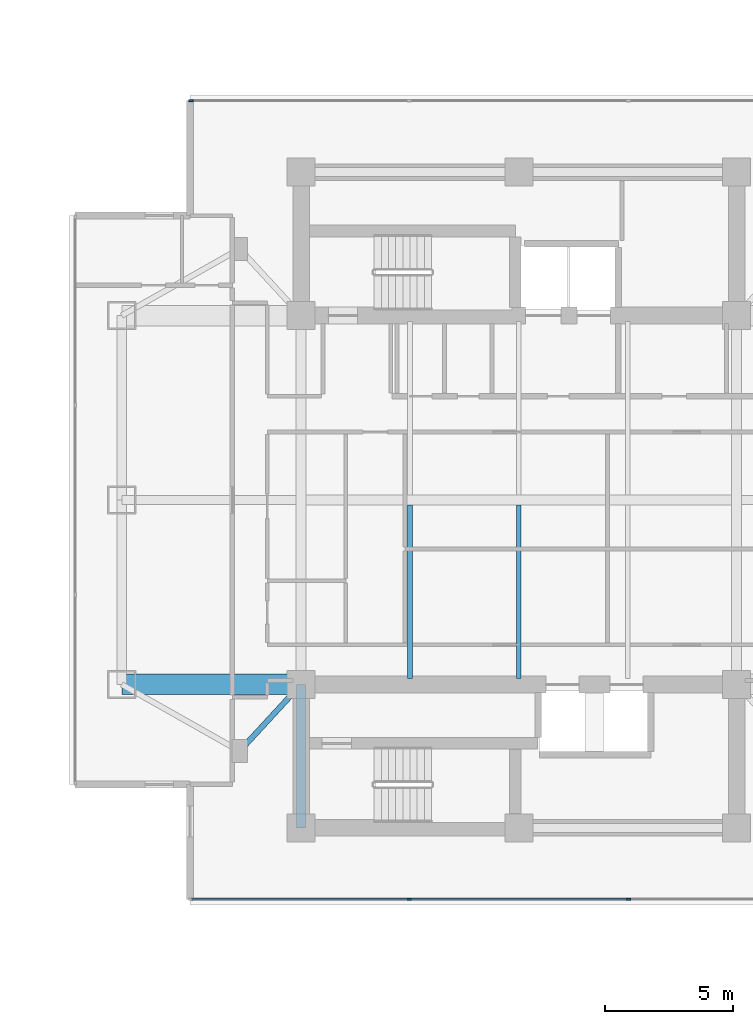
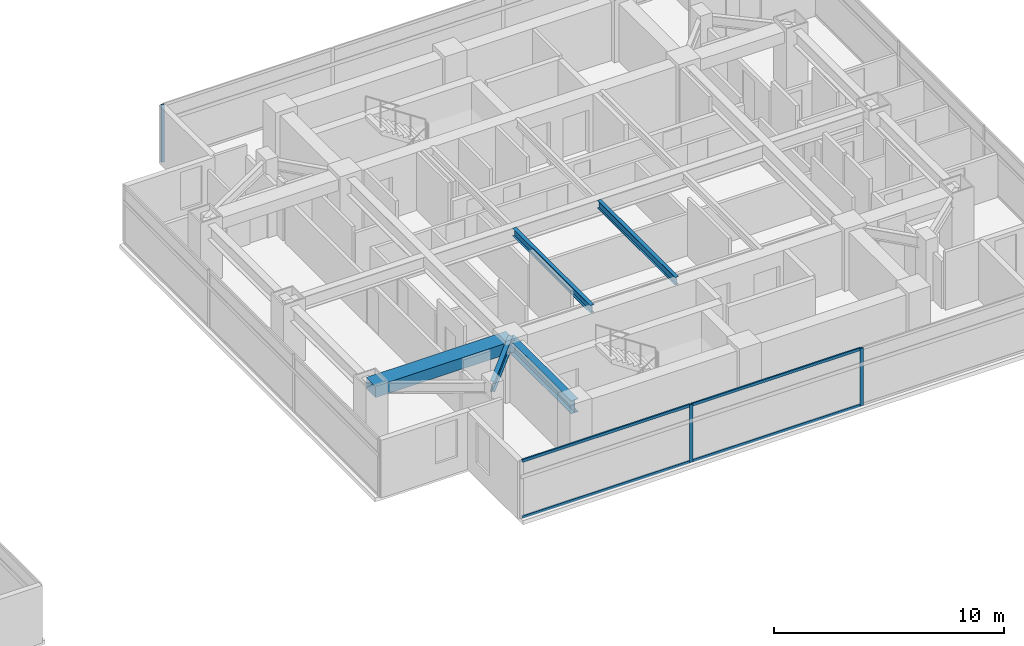
# One storey, part 9 of 27: 7 members, 5 beams, 2 elements without a shape of their own.
"""IFC4 building model written with IfcOpenShell, lengths in metres."""

from ifc_helpers import new_model, si_unit, direction, frame, origin, origin_2d, place, context, subcontext, project, spatial, rectangle, i_section, extrude, material, material_profile, profile_set, type_object, element, aggregate, save


model = new_model("IFC4")

# Units and contexts
model_context = context("Model", 3, precision=1e-05, world=origin(), true_north=direction((0.0, 1.0)))
body_context = subcontext(model_context, "Body", "Model", "MODEL_VIEW")
ifc_project = project(units=[si_unit("LENGTHUNIT", "METRE"), si_unit("AREAUNIT", "SQUARE_METRE"), si_unit("VOLUMEUNIT", "CUBIC_METRE"), si_unit("PLANEANGLEUNIT", "RADIAN"), si_unit("MASSUNIT", "GRAM", prefix="KILO")], contexts=[model_context])

# Site, building, storey
site_placement = place(None, origin())
site = spatial("IfcSite", under=ifc_project, at=site_placement, CompositionType="ELEMENT")
building_placement = place(site_placement, origin())
building = spatial("IfcBuilding", under=site, at=building_placement, Name="Mirazonda Arch Towers", CompositionType="ELEMENT")
storey_placement = place(building_placement, frame((0.0, 0.0, 124.699951171875)))
storey = spatial("IfcBuildingStorey", under=building, at=storey_placement, Name="L35", CompositionType="ELEMENT", Elevation=124.699951171875)

# Beams
ifc_material_1 = material(Name="Steel ASTM A992 Grade 50", Category="steel")
ifc_material_profile_1 = material_profile(ifc_material_1, i_section(OverallWidth=0.180908203125, OverallDepth=0.4169921875, WebThickness=0.010986328125, FlangeThickness=0.018310546875, at=origin_2d()), Name="W16X57")
ifc_profile_set_1 = profile_set([ifc_material_profile_1], Name="Steel ASTM A992 Grade 50")
beam_type_1 = type_object("IfcBeamType", Name="BM-INT-W16X57", PredefinedType="JOIST", material=ifc_profile_set_1)
for number, where, z_axis, x_axis, name in (
    (1, (72.25, 21.0400390625, 2.87158203125), (0.0, 1.0, 0.0), (-1.0, 0.0, 0.0), "L35 Floor Beam BM-T2-L35-J-722-20"),
    (2, (76.5, 21.0400390625, 2.87158203125), (0.0, 1.0, 0.0), (-1.0, 0.0, 0.0), "L35 Floor Beam BM-T2-L35-J-765-20"),
):
    element("IfcBeam", number, at=place(storey_placement, frame(where, z_axis=z_axis, x_axis=x_axis)), inside=storey, type_object=beam_type_1, Name=name, PredefinedType="JOIST", context=body_context, shape_type="SweptSolid", body=[
        extrude(i_section(OverallWidth=0.180908203125, OverallDepth=0.4169921875, WebThickness=0.010986328125, FlangeThickness=0.018310546875, at=origin_2d()), origin(), (0.0, 0.0, 1.0), 6.763916015625),
    ])
ifc_material_profile_2 = material_profile(ifc_material_1, i_section(OverallWidth=0.214111328125, OverallDepth=0.549072265625, WebThickness=0.0146484375, FlangeThickness=0.023681640625, at=origin_2d()), Name="W21X93")
ifc_profile_set_2 = profile_set([ifc_material_profile_2], Name="Steel ASTM A992 Grade 50")
beam_type_2 = type_object("IfcBeamType", Name="BM-INT-W21X93", PredefinedType="BEAM", material=ifc_profile_set_2)
beam_1_placement = place(storey_placement, frame((65.60009765625, 18.199951171875, 2.8056640625), z_axis=(0.678251444854, 0.734829897019, 0.0), x_axis=(-0.734829897019, 0.678251444854, 0.0)))
element("IfcBeam", 3, at=beam_1_placement, inside=storey, type_object=beam_type_2, Name="L35 Floor Beam BM-T2-L35-PL-SW1", PredefinedType="BEAM", context=body_context, shape_type="SweptSolid", body=[
    extrude(i_section(OverallWidth=0.214111328125, OverallDepth=0.549072265625, WebThickness=0.0146484375, FlangeThickness=0.023681640625, at=origin_2d()), origin(), (0.0, 0.0, 1.0), 3.538330078125),
])
ifc_material_profile_3 = material_profile(ifc_material_1, i_section(OverallWidth=0.35498046875, OverallDepth=0.696044921875, WebThickness=0.015380859375, FlangeThickness=0.02490234375, at=origin_2d()), Name="W27X146")
ifc_profile_set_3 = profile_set([ifc_material_profile_3], Name="Steel ASTM A992 Grade 50")
beam_type_3 = type_object("IfcBeamType", Name="BM-INT-W27X146", PredefinedType="BEAM", material=ifc_profile_set_3)
beam_2_placement = place(storey_placement, frame((68.0, 15.199951171875, 2.73193359375), z_axis=(0.0, 1.0, 0.0), x_axis=(-1.0, 0.0, 0.0)))
element("IfcBeam", 4, at=beam_2_placement, inside=storey, type_object=beam_type_3, Name="L35 Floor Beam BM-T2-L35-CSW", PredefinedType="BEAM", context=body_context, shape_type="SweptSolid", body=[
    extrude(i_section(OverallWidth=0.35498046875, OverallDepth=0.696044921875, WebThickness=0.015380859375, FlangeThickness=0.02490234375, at=origin_2d()), origin(), (0.0, 0.0, 1.0), 5.60009765625),
])
ifc_material_2 = material(Name="Concrete C60/75", Category="concrete")
ifc_material_profile_4 = material_profile(ifc_material_2, rectangle(XDim=0.800048828125, YDim=0.60009765625, at=origin_2d()), Name="RCCB800x600")
ifc_profile_set_4 = profile_set([ifc_material_profile_4], Name="Concrete C60/75")
beam_type_4 = type_object("IfcBeamType", Name="CB-INT-RCCB800x600", PredefinedType="SPANDREL", material=ifc_profile_set_4)
beam_3_placement = place(storey_placement, frame((61.0, 20.800048828125, 2.780029296875), z_axis=(1.0, 0.0, 0.0), x_axis=(0.0, 1.0, 0.0)))
element("IfcBeam", 5, at=beam_3_placement, inside=storey, type_object=beam_type_4, Name="L35 Floor Beam CBC-T2-L35-SW", PredefinedType="SPANDREL", context=body_context, shape_type="SweptSolid", body=[
    extrude(rectangle(XDim=0.800048828125, YDim=0.60009765625, at=origin_2d()), origin(), (0.0, 0.0, 1.0), 7.0),
])

# Curtain wall, members
ifc_material_3 = material(Name="Anodised Aluminium and Low-E Glass", Category="aluminium")
curtain_wall_type = type_object("IfcCurtainWallType", Name="CW-HTL-UNIT", PredefinedType="NOTDEFINED", material=ifc_material_3)
curtain_wall_1_placement = place(storey_placement, origin())
curtain_wall_1 = element("IfcCurtainWall", 6, at=curtain_wall_1_placement, inside=storey, type_object=curtain_wall_type, Name="L35 T2 S Facade CW-L35-T2-S", PredefinedType="NOTDEFINED")
ifc_material_4 = material(Name="Anodised Aluminium Alloy", Category="aluminium")
ifc_material_profile_5 = material_profile(ifc_material_4, rectangle(XDim=0.074951171875, YDim=0.1650390625, at=origin_2d()), Name="ALU-MULL-75x165")
ifc_profile_set_5 = profile_set([ifc_material_profile_5], Name="Anodised Aluminium Alloy")
member_type_1 = type_object("IfcMemberType", Name="MULL-CW-HTL-UNIT", PredefinedType="MULLION", material=ifc_profile_set_5)
member_1_placement = place(storey_placement, frame((80.778076171875, 12.414306640625, 0.0), z_axis=(0.0, 0.0, 1.0), x_axis=(0.0, -1.0, 0.0)))
member_1 = element("IfcMember", 7, at=member_1_placement, type_object=member_type_1, Name="CW-112 mullion 2", PredefinedType="MULLION", context=body_context, shape_type="SweptSolid", body=[
    extrude(rectangle(XDim=0.074951171875, YDim=0.1650390625, at=origin_2d()), origin(), (0.0, 0.0, 1.0), 3.06005859375),
])
member_2_placement = place(storey_placement, frame((72.221923828125, 12.414306640625, 0.0), z_axis=(0.0, 0.0, 1.0), x_axis=(0.0, -1.0, 0.0)))
member_2 = element("IfcMember", 8, at=member_2_placement, type_object=member_type_1, Name="CW-112 mullion 3", PredefinedType="MULLION", context=body_context, shape_type="SweptSolid", body=[
    extrude(rectangle(XDim=0.074951171875, YDim=0.1650390625, at=origin_2d()), origin(), (0.0, 0.0, 1.0), 3.06005859375),
])

# Curtain wall, member
curtain_wall_2_placement = place(storey_placement, origin())
curtain_wall_2 = element("IfcCurtainWall", 9, at=curtain_wall_2_placement, inside=storey, type_object=curtain_wall_type, Name="L35 T2 N Facade CW-L35-T2-N", PredefinedType="NOTDEFINED")
member_3_placement = place(storey_placement, frame((63.702880859375, 43.585693359375, 0.0), z_axis=(0.0, 0.0, 1.0), x_axis=(0.0, 1.0, 0.0)))
member_3 = element("IfcMember", 10, at=member_3_placement, type_object=member_type_1, Name="CW-112 mullion 1", PredefinedType="MULLION", context=body_context, shape_type="SweptSolid", body=[
    extrude(rectangle(XDim=0.074951171875, YDim=0.1650390625, at=origin_2d()), origin(), (0.0, 0.0, 1.0), 3.06005859375),
])
aggregate(curtain_wall_2, [member_3])

# Member
ifc_material_profile_6 = material_profile(ifc_material_4, rectangle(XDim=0.074951171875, YDim=0.14501953125, at=origin_2d()), Name="ALU-TRAN-75x145")
ifc_profile_set_6 = profile_set([ifc_material_profile_6], Name="Anodised Aluminium Alloy")
member_type_2 = type_object("IfcMemberType", Name="TRAN-CW-HTL-UNIT", PredefinedType="USERDEFINED", material=ifc_profile_set_6)
member_4_placement = place(storey_placement, frame((80.74072265625, 12.414306640625, 0.03759765625), z_axis=(-1.0, 0.0, 0.0), x_axis=(0.0, -1.0, 0.0)))
member_4 = element("IfcMember", 11, at=member_4_placement, type_object=member_type_2, Name="CW-112 transom 2.1", ObjectType="TRANSOM", PredefinedType="USERDEFINED", context=body_context, shape_type="SweptSolid", body=[
    extrude(rectangle(XDim=0.074951171875, YDim=0.14501953125, at=origin_2d()), origin(), (0.0, 0.0, 1.0), 8.4814453125),
])

member_5_placement = place(storey_placement, frame((80.74072265625, 12.414306640625, 3.0224609375), z_axis=(-1.0, 0.0, 0.0), x_axis=(0.0, -1.0, 0.0)))
member_5 = element("IfcMember", 12, at=member_5_placement, type_object=member_type_2, Name="CW-112 transom 2.2", ObjectType="TRANSOM", PredefinedType="USERDEFINED", context=body_context, shape_type="SweptSolid", body=[
    extrude(rectangle(XDim=0.074951171875, YDim=0.14501953125, at=origin_2d()), origin(), (0.0, 0.0, 1.0), 8.4814453125),
])

member_6_placement = place(storey_placement, frame((72.184326171875, 12.414306640625, 0.03759765625), z_axis=(-1.0, 0.0, 0.0), x_axis=(0.0, -1.0, 0.0)))
member_6 = element("IfcMember", 13, at=member_6_placement, type_object=member_type_2, Name="CW-112 transom 3.1", ObjectType="TRANSOM", PredefinedType="USERDEFINED", context=body_context, shape_type="SweptSolid", body=[
    extrude(rectangle(XDim=0.074951171875, YDim=0.14501953125, at=origin_2d()), origin(), (0.0, 0.0, 1.0), 8.44384765625),
])

member_7_placement = place(storey_placement, frame((72.184326171875, 12.414306640625, 3.0224609375), z_axis=(-1.0, 0.0, 0.0), x_axis=(0.0, -1.0, 0.0)))
member_7 = element("IfcMember", 14, at=member_7_placement, type_object=member_type_2, Name="CW-112 transom 3.2", ObjectType="TRANSOM", PredefinedType="USERDEFINED", context=body_context, shape_type="SweptSolid", body=[
    extrude(rectangle(XDim=0.074951171875, YDim=0.14501953125, at=origin_2d()), origin(), (0.0, 0.0, 1.0), 8.44384765625),
])

aggregate(curtain_wall_1, [member_1, member_2, member_4, member_5, member_6, member_7])

save(model, "model.ifc")
